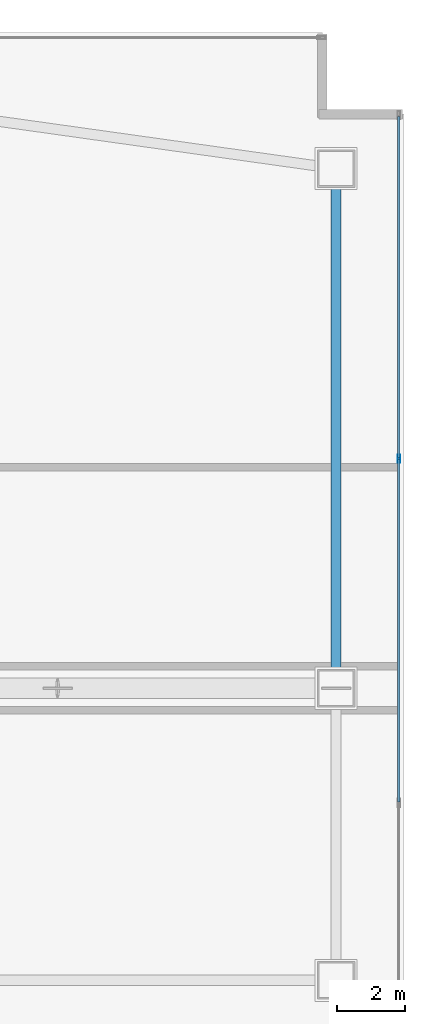
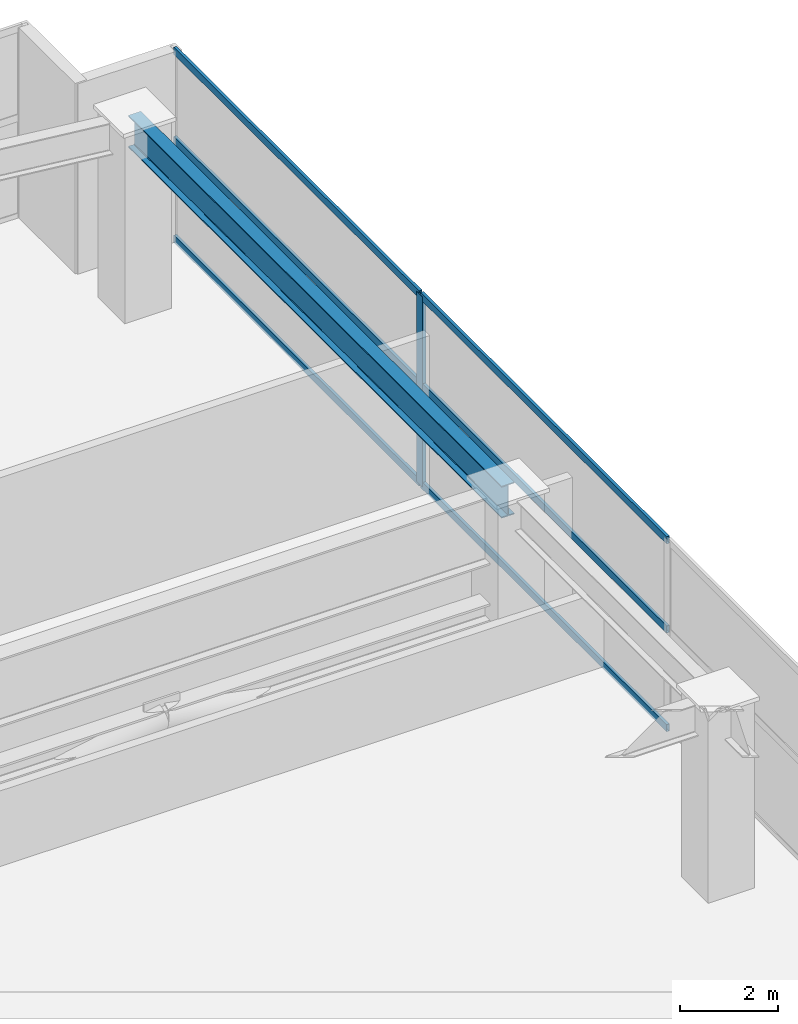
# One storey, part 26 of 36: 7 members, 1 beam, 1 element without a shape of its own.
"""IFC4 building model written with IfcOpenShell, lengths in metres."""

from ifc_helpers import new_model, si_unit, direction, frame, origin, origin_2d, place, context, subcontext, project, spatial, hollow_rectangle, i_section, extrude, material, layer, layer_set, material_profile, profile_set, type_object, element, aggregate, save


model = new_model("IFC4")

# Units and contexts
model_context = context("Model", 3, precision=1e-05, world=origin(), true_north=direction((0.0, 1.0)))
body_context = subcontext(model_context, "Body", "Model", "MODEL_VIEW")
ifc_project = project(units=[si_unit("LENGTHUNIT", "METRE"), si_unit("AREAUNIT", "SQUARE_METRE"), si_unit("VOLUMEUNIT", "CUBIC_METRE"), si_unit("PLANEANGLEUNIT", "RADIAN"), si_unit("MASSUNIT", "GRAM", prefix="KILO")], contexts=[model_context])

# Site, building, storey
site_placement = place(None, origin())
site = spatial("IfcSite", under=ifc_project, at=site_placement, CompositionType="ELEMENT")
building_placement = place(site_placement, origin())
building = spatial("IfcBuilding", under=site, at=building_placement, Name="Calvorn Quay Hotel", CompositionType="ELEMENT")
storey_placement = place(building_placement, frame((0.0, 0.0, 22.0)))
storey = spatial("IfcBuildingStorey", under=building, at=storey_placement, Name="L04", CompositionType="ELEMENT", Elevation=22.0)

# Beam
ifc_material_1 = material(Name="Steel Q390GJC", Category="steel")
ifc_material_profile_1 = material_profile(ifc_material_1, i_section(OverallWidth=0.300048828125, OverallDepth=0.800048828125, WebThickness=0.013916015625, FlangeThickness=0.02587890625, FilletRadius=0.02392578125, at=origin_2d()), Name="HN800x300x14x26")
ifc_profile_set_1 = profile_set([ifc_material_profile_1], Name="Steel Q390GJC")
beam_type = type_object("IfcBeamType", Name="BM-GIRD-POD", PredefinedType="BEAM", material=ifc_profile_set_1)
beam_placement = place(storey_placement, frame((74.0, 36.199951171875, 4.340087890625), z_axis=(0.0, 1.0, 0.0), x_axis=(-1.0, 0.0, 0.0)))
element("IfcBeam", 1, at=beam_placement, inside=storey, type_object=beam_type, Name="Beam BG-L04-PE4", PredefinedType="BEAM", context=body_context, shape_type="SweptSolid", body=[
    extrude(i_section(OverallWidth=0.300048828125, OverallDepth=0.800048828125, WebThickness=0.013916015625, FlangeThickness=0.02587890625, FilletRadius=0.02392578125, at=origin_2d()), origin(), (0.0, 0.0, 1.0), 15.300048828125),
])

# Curtain wall, members
ifc_material_2 = material(Name="Pale Anodised Aluminium and Low-E Glass", Category="aluminium")
ifc_layer = layer(ifc_material_2, 0.219970703125)
ifc_layer_set = layer_set([ifc_layer], Name="CW-SYS-POD")
curtain_wall_type = type_object("IfcCurtainWallType", Name="CW-SYS-POD", PredefinedType="NOTDEFINED", material=ifc_layer_set)
curtain_wall_placement = place(storey_placement, origin())
curtain_wall = element("IfcCurtainWall", 2, at=curtain_wall_placement, inside=storey, type_object=curtain_wall_type, Name="Podium Curtain Wall L04-E1", PredefinedType="NOTDEFINED")
ifc_material_3 = material(Name="Pale Anodised Aluminium 6063-T6", Category="aluminium")
ifc_material_profile_2 = material_profile(ifc_material_3, hollow_rectangle(XDim=0.080078125, YDim=0.239990234375, WallThickness=0.0048828125, at=origin_2d()), Name="ALU-M240x80x5")
ifc_profile_set_2 = profile_set([ifc_material_profile_2], Name="Pale Anodised Aluminium 6063-T6")
member_type_1 = type_object("IfcMemberType", Name="CW-SYS-POD-MUL", PredefinedType="MULLION", material=ifc_profile_set_2)
member_1_placement = place(storey_placement, frame((75.85009765625, 42.9599609375, 0.0), z_axis=(0.0, 0.0, 1.0), x_axis=(-1.0, 0.0, 0.0)))
member_1 = element("IfcMember", 3, at=member_1_placement, type_object=member_type_1, Name="CW-L04-E1 mullion 5", PredefinedType="MULLION", context=body_context, shape_type="SweptSolid", body=[
    extrude(hollow_rectangle(XDim=0.080078125, YDim=0.239990234375, WallThickness=0.0048828125, at=origin_2d()), origin(), (0.0, 0.0, 1.0), 4.760009765625),
])
ifc_material_4 = material(Name="Pale Anodised Aluminium 6063-T6", Category="aluminium")
ifc_material_profile_3 = material_profile(ifc_material_4, hollow_rectangle(XDim=0.070068359375, YDim=0.179931640625, WallThickness=0.00390625, at=origin_2d()), Name="ALU-T180x70x4")
ifc_profile_set_3 = profile_set([ifc_material_profile_3], Name="Pale Anodised Aluminium 6063-T6")
member_type_2 = type_object("IfcMemberType", Name="CW-SYS-POD-TRN", PredefinedType="USERDEFINED", material=ifc_profile_set_3)
member_2_placement = place(storey_placement, frame((75.85009765625, 32.85009765625, 0.030029296875), z_axis=(0.0, 1.0, 0.0), x_axis=(-1.0, 0.0, 0.0)))
member_2 = element("IfcMember", 4, at=member_2_placement, type_object=member_type_2, Name="CW-L04-E1 transom 4.1", ObjectType="TRANSOM", PredefinedType="USERDEFINED", context=body_context, shape_type="SweptSolid", body=[
    extrude(hollow_rectangle(XDim=0.070068359375, YDim=0.179931640625, WallThickness=0.00390625, at=origin_2d()), origin(), (0.0, 0.0, 1.0), 10.079833984375),
])
member_3_placement = place(storey_placement, frame((75.85009765625, 32.85009765625, 2.5), z_axis=(0.0, 1.0, 0.0), x_axis=(-1.0, 0.0, 0.0)))
member_3 = element("IfcMember", 5, at=member_3_placement, type_object=member_type_2, Name="CW-L04-E1 transom 4.2", ObjectType="TRANSOM", PredefinedType="USERDEFINED", context=body_context, shape_type="SweptSolid", body=[
    extrude(hollow_rectangle(XDim=0.070068359375, YDim=0.179931640625, WallThickness=0.00390625, at=origin_2d()), origin(), (0.0, 0.0, 1.0), 10.079833984375),
])
member_4_placement = place(storey_placement, frame((75.85009765625, 32.85009765625, 4.72998046875), z_axis=(0.0, 1.0, 0.0), x_axis=(-1.0, 0.0, 0.0)))
member_4 = element("IfcMember", 6, at=member_4_placement, type_object=member_type_2, Name="CW-L04-E1 transom 4.3", ObjectType="TRANSOM", PredefinedType="USERDEFINED", context=body_context, shape_type="SweptSolid", body=[
    extrude(hollow_rectangle(XDim=0.070068359375, YDim=0.179931640625, WallThickness=0.00390625, at=origin_2d()), origin(), (0.0, 0.0, 1.0), 10.079833984375),
])
member_5_placement = place(storey_placement, frame((75.85009765625, 42.989990234375, 0.030029296875), z_axis=(0.0, 1.0, 0.0), x_axis=(-1.0, 0.0, 0.0)))
member_5 = element("IfcMember", 7, at=member_5_placement, type_object=member_type_2, Name="CW-L04-E1 transom 5.1", ObjectType="TRANSOM", PredefinedType="USERDEFINED", context=body_context, shape_type="SweptSolid", body=[
    extrude(hollow_rectangle(XDim=0.070068359375, YDim=0.179931640625, WallThickness=0.00390625, at=origin_2d()), origin(), (0.0, 0.0, 1.0), 10.050048828125),
])
member_6_placement = place(storey_placement, frame((75.85009765625, 42.989990234375, 2.5), z_axis=(0.0, 1.0, 0.0), x_axis=(-1.0, 0.0, 0.0)))
member_6 = element("IfcMember", 8, at=member_6_placement, type_object=member_type_2, Name="CW-L04-E1 transom 5.2", ObjectType="TRANSOM", PredefinedType="USERDEFINED", context=body_context, shape_type="SweptSolid", body=[
    extrude(hollow_rectangle(XDim=0.070068359375, YDim=0.179931640625, WallThickness=0.00390625, at=origin_2d()), origin(), (0.0, 0.0, 1.0), 10.050048828125),
])
member_7_placement = place(storey_placement, frame((75.85009765625, 42.989990234375, 4.72998046875), z_axis=(0.0, 1.0, 0.0), x_axis=(-1.0, 0.0, 0.0)))
member_7 = element("IfcMember", 9, at=member_7_placement, type_object=member_type_2, Name="CW-L04-E1 transom 5.3", ObjectType="TRANSOM", PredefinedType="USERDEFINED", context=body_context, shape_type="SweptSolid", body=[
    extrude(hollow_rectangle(XDim=0.070068359375, YDim=0.179931640625, WallThickness=0.00390625, at=origin_2d()), origin(), (0.0, 0.0, 1.0), 10.050048828125),
])
aggregate(curtain_wall, [member_1, member_2, member_3, member_4, member_5, member_6, member_7])

save(model, "model.ifc")
